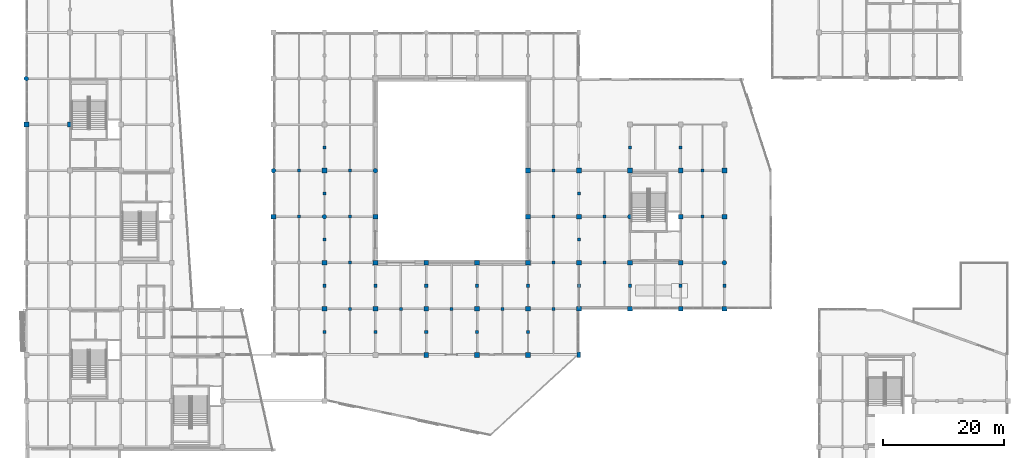
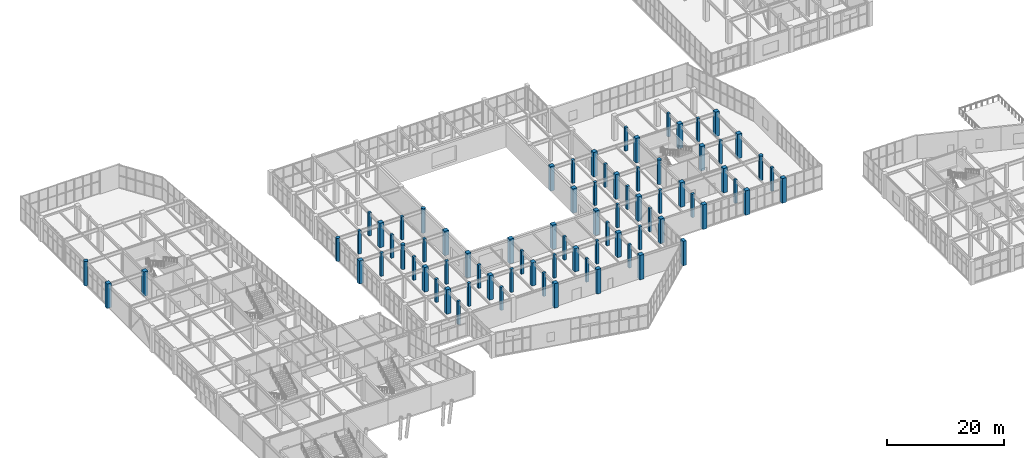
# One storey, part 4 of 128: 79 columns.
"""IFC4 building model written with IfcOpenShell, lengths in metres."""

from ifc_helpers import new_model, si_unit, direction, frame, origin, origin_2d, place, context, subcontext, project, spatial, rectangle, circle, extrude, material, material_profile, profile_set, type_object, element, save


model = new_model("IFC4")

# Units and contexts
model_context = context("Model", 3, precision=1e-05, world=origin(), true_north=direction((0.0, 1.0)))
body_context = subcontext(model_context, "Body", "Model", "MODEL_VIEW")
ifc_project = project(units=[si_unit("LENGTHUNIT", "METRE"), si_unit("AREAUNIT", "SQUARE_METRE"), si_unit("VOLUMEUNIT", "CUBIC_METRE"), si_unit("PLANEANGLEUNIT", "RADIAN"), si_unit("MASSUNIT", "GRAM", prefix="KILO")], contexts=[model_context])

# Site, building, storey
site_placement = place(None, origin())
site = spatial("IfcSite", under=ifc_project, at=site_placement, CompositionType="ELEMENT")
building_placement = place(site_placement, origin())
building = spatial("IfcBuilding", under=site, at=building_placement, Name="Xicomal Pleat Aquarium", CompositionType="ELEMENT")
storey_placement = place(building_placement, frame((0.0, 0.0, 5.39990234375)))
storey = spatial("IfcBuildingStorey", under=building, at=storey_placement, Name="L02", CompositionType="ELEMENT", Elevation=5.39990234375)

# Columns
ifc_material_1 = material(Name="Concrete C35/45", Category="concrete")
ifc_material_profile_1 = material_profile(ifc_material_1, rectangle(XDim=0.5, YDim=0.5, at=origin_2d()), Name="RC 500x500")
ifc_profile_set_1 = profile_set([ifc_material_profile_1], Name="Concrete C35/45")
column_type_1 = type_object("IfcColumnType", Name="COL-RC-500x500", PredefinedType="COLUMN", material=ifc_profile_set_1)
for number, where, z_axis, x_axis, name in (
    (1, (48.0, 53.199951171875, 0.0), (0.0, 0.0, 1.0), (1.0, 0.0, 0.0), "L02 intermediate support column SUB-03"),
    (2, (48.0, 60.800048828125, 0.0), (0.0, 0.0, 1.0), (1.0, 0.0, 0.0), "L02 intermediate support column SUB-04"),
    (3, (56.39990234375, 38.0, 0.0), (0.0, 0.0, 1.0), (1.0, 0.0, 0.0), "L02 intermediate support column SUB-06"),
    (4, (56.39990234375, 45.60009765625, 0.0), (0.0, 0.0, 1.0), (1.0, 0.0, 0.0), "L02 intermediate support column SUB-07"),
    (5, (56.39990234375, 53.199951171875, 0.0), (0.0, 0.0, 1.0), (1.0, 0.0, 0.0), "L02 intermediate support column SUB-08"),
    (6, (56.39990234375, 60.800048828125, 0.0), (0.0, 0.0, 1.0), (1.0, 0.0, 0.0), "L02 intermediate support column SUB-09"),
    (7, (64.800048828125, 38.0, 0.0), (0.0, 0.0, 1.0), (1.0, 0.0, 0.0), "L02 intermediate support column SUB-11"),
    (8, (73.199951171875, 38.0, 0.0), (0.0, 0.0, 1.0), (1.0, 0.0, 0.0), "L02 intermediate support column SUB-12"),
    (9, (81.60009765625, 38.0, 0.0), (0.0, 0.0, 1.0), (1.0, 0.0, 0.0), "L02 intermediate support column SUB-13"),
    (10, (90.0, 38.0, 0.0), (0.0, 0.0, 1.0), (1.0, 0.0, 0.0), "L02 intermediate support column SUB-14"),
    (11, (90.0, 45.60009765625, 0.0), (0.0, 0.0, 1.0), (1.0, 0.0, 0.0), "L02 intermediate support column SUB-15"),
    (12, (90.0, 53.199951171875, 0.0), (0.0, 0.0, 1.0), (1.0, 0.0, 0.0), "L02 intermediate support column SUB-16"),
    (13, (90.0, 60.800048828125, 0.0), (0.0, 0.0, 1.0), (1.0, 0.0, 0.0), "L02 intermediate support column SUB-17"),
):
    element("IfcColumn", number, at=place(storey_placement, frame(where, z_axis=z_axis, x_axis=x_axis)), inside=storey, type_object=column_type_1, Name=name, PredefinedType="COLUMN", context=body_context, shape_type="SweptSolid", body=[
        extrude(rectangle(XDim=0.5, YDim=0.5, at=origin_2d()), origin(), (0.0, 0.0, 1.0), 4.820068359375),
    ])
for number, where, z_axis, x_axis, name in (
    (14, (98.39990234375, 45.60009765625, 0.0), (0.0, 0.0, 1.0), (1.0, 0.0, 0.0), "L02 intermediate support column SUB-20"),
    (15, (98.39990234375, 53.199951171875, 0.0), (0.0, 0.0, 1.0), (1.0, 0.0, 0.0), "L02 intermediate support column SUB-21"),
    (16, (114.60009765625, 53.199951171875, 0.0), (0.0, 0.0, 1.0), (1.0, 0.0, 0.0), "L02 intermediate support column SUB-22"),
    (17, (114.60009765625, 60.800048828125, 0.0), (0.0, 0.0, 1.0), (1.0, 0.0, 0.0), "L02 intermediate support column SUB-23"),
):
    element("IfcColumn", number, at=place(storey_placement, frame(where, z_axis=z_axis, x_axis=x_axis)), inside=storey, type_object=column_type_1, Name=name, PredefinedType="COLUMN", context=body_context, shape_type="SweptSolid", body=[
        extrude(rectangle(XDim=0.5, YDim=0.5, at=origin_2d()), origin(), (0.0, 0.0, 1.0), 4.860107421875),
    ])
for number, where, z_axis, x_axis, name in (
    (18, (52.199951171875, 34.199951171875, 0.0), (0.0, 0.0, 1.0), (1.0, 0.0, 0.0), "L02 intermediate support column SUB-34"),
    (19, (52.199951171875, 41.800048828125, 0.0), (0.0, 0.0, 1.0), (1.0, 0.0, 0.0), "L02 intermediate support column SUB-35"),
    (20, (52.199951171875, 49.39990234375, 0.0), (0.0, 0.0, 1.0), (1.0, 0.0, 0.0), "L02 intermediate support column SUB-36"),
    (21, (52.199951171875, 57.0, 0.0), (0.0, 0.0, 1.0), (1.0, 0.0, 0.0), "L02 intermediate support column SUB-37"),
    (22, (52.199951171875, 64.60009765625, 0.0), (0.0, 0.0, 1.0), (1.0, 0.0, 0.0), "L02 intermediate support column SUB-38"),
    (23, (60.60009765625, 34.199951171875, 0.0), (0.0, 0.0, 1.0), (1.0, 0.0, 0.0), "L02 intermediate support column SUB-41"),
    (24, (60.60009765625, 41.800048828125, 0.0), (0.0, 0.0, 1.0), (1.0, 0.0, 0.0), "L02 intermediate support column SUB-42"),
    (25, (69.0, 34.199951171875, 0.0), (0.0, 0.0, 1.0), (1.0, 0.0, 0.0), "L02 intermediate support column SUB-44"),
    (26, (69.0, 41.800048828125, 0.0), (0.0, 0.0, 1.0), (1.0, 0.0, 0.0), "L02 intermediate support column SUB-45"),
    (27, (77.39990234375, 34.199951171875, 0.0), (0.0, 0.0, 1.0), (1.0, 0.0, 0.0), "L02 intermediate support column SUB-47"),
    (28, (77.39990234375, 41.800048828125, 0.0), (0.0, 0.0, 1.0), (1.0, 0.0, 0.0), "L02 intermediate support column SUB-48"),
    (29, (85.800048828125, 34.199951171875, 0.0), (0.0, 0.0, 1.0), (1.0, 0.0, 0.0), "L02 intermediate support column SUB-50"),
    (30, (85.800048828125, 41.800048828125, 0.0), (0.0, 0.0, 1.0), (1.0, 0.0, 0.0), "L02 intermediate support column SUB-51"),
    (31, (94.199951171875, 41.800048828125, 0.0), (0.0, 0.0, 1.0), (1.0, 0.0, 0.0), "L02 intermediate support column SUB-53"),
    (32, (94.199951171875, 49.39990234375, 0.0), (0.0, 0.0, 1.0), (1.0, 0.0, 0.0), "L02 intermediate support column SUB-54"),
    (33, (94.199951171875, 57.0, 0.0), (0.0, 0.0, 1.0), (1.0, 0.0, 0.0), "L02 intermediate support column SUB-55"),
):
    element("IfcColumn", number, at=place(storey_placement, frame(where, z_axis=z_axis, x_axis=x_axis)), inside=storey, type_object=column_type_1, Name=name, PredefinedType="COLUMN", context=body_context, shape_type="SweptSolid", body=[
        extrude(rectangle(XDim=0.5, YDim=0.5, at=origin_2d()), origin(), (0.0, 0.0, 1.0), 4.820068359375),
    ])
for number, where, z_axis, x_axis, name in (
    (34, (102.60009765625, 41.800048828125, 0.0), (0.0, 0.0, 1.0), (1.0, 0.0, 0.0), "L02 intermediate support column SUB-56"),
    (35, (102.60009765625, 64.60009765625, 0.0), (0.0, 0.0, 1.0), (1.0, 0.0, 0.0), "L02 intermediate support column SUB-57"),
    (36, (111.0, 41.800048828125, 0.0), (0.0, 0.0, 1.0), (1.0, 0.0, 0.0), "L02 intermediate support column SUB-58"),
    (37, (111.0, 64.60009765625, 0.0), (0.0, 0.0, 1.0), (1.0, 0.0, 0.0), "L02 intermediate support column SUB-59"),
    (38, (118.199951171875, 41.800048828125, 0.0), (0.0, 0.0, 1.0), (1.0, 0.0, 0.0), "L02 intermediate support column SUB-60"),
):
    element("IfcColumn", number, at=place(storey_placement, frame(where, z_axis=z_axis, x_axis=x_axis)), inside=storey, type_object=column_type_1, Name=name, PredefinedType="COLUMN", context=body_context, shape_type="SweptSolid", body=[
        extrude(rectangle(XDim=0.5, YDim=0.5, at=origin_2d()), origin(), (0.0, 0.0, 1.0), 4.860107421875),
    ])
ifc_material_2 = material(Name="Concrete C40/50", Category="concrete")
ifc_material_profile_2 = material_profile(ifc_material_2, rectangle(XDim=0.60009765625, YDim=0.89990234375, at=origin_2d()), Name="RC 600x900")
ifc_profile_set_2 = profile_set([ifc_material_profile_2], Name="Concrete C40/50")
column_type_2 = type_object("IfcColumnType", Name="COL-RC-600x900", PredefinedType="COLUMN", material=ifc_profile_set_2)
column_1_placement = place(storey_placement, frame((94.199951171875, 30.39990234375, 0.0), z_axis=(0.0, 0.0, 1.0), x_axis=(1.0, 0.0, 0.0)))
element("IfcColumn", 39, at=column_1_placement, inside=storey, type_object=column_type_2, Name="L02 column 12/E", PredefinedType="COLUMN", context=body_context, shape_type="SweptSolid", body=[
    extrude(rectangle(XDim=0.60009765625, YDim=0.89990234375, at=origin_2d()), origin(), (0.0, 0.0, 1.0), 5.10009765625),
])
ifc_material_3 = material(Name="Concrete C40/50", Category="concrete")
ifc_material_profile_3 = material_profile(ifc_material_3, rectangle(XDim=0.800048828125, YDim=0.800048828125, at=origin_2d()), Name="RC 800x800")
ifc_profile_set_3 = profile_set([ifc_material_profile_3], Name="Concrete C40/50")
column_type_3 = type_object("IfcColumnType", Name="COL-RC-800x800", PredefinedType="COLUMN", material=ifc_profile_set_3)
for number, where, z_axis, x_axis, name in (
    (40, (3.0, 68.39990234375, 0.0), (0.0, 0.0, 1.0), (1.0, 0.0, 0.0), "L02 column 01/K"),
    (41, (10.199951171875, 68.39990234375, 0.0), (0.0, 0.0, 1.0), (1.0, 0.0, 0.0), "L02 column 02/K"),
):
    element("IfcColumn", number, at=place(storey_placement, frame(where, z_axis=z_axis, x_axis=x_axis)), inside=storey, type_object=column_type_3, Name=name, PredefinedType="COLUMN", context=body_context, shape_type="SweptSolid", body=[
        extrude(rectangle(XDim=0.800048828125, YDim=0.800048828125, at=origin_2d()), origin(), (0.0, 0.0, 1.0), 5.10009765625),
    ])
column_2_placement = place(storey_placement, frame((43.800048828125, 53.199951171875, 0.0), z_axis=(0.0, 0.0, 1.0), x_axis=(1.0, 0.0, 0.0)))
element("IfcColumn", 42, at=column_2_placement, inside=storey, type_object=column_type_3, Name="L02 column 06/H", PredefinedType="COLUMN", context=body_context, shape_type="SweptSolid", body=[
    extrude(rectangle(XDim=0.800048828125, YDim=0.800048828125, at=origin_2d()), origin(), (0.0, 0.0, 1.0), 4.820068359375),
])
for number, where, z_axis, x_axis, name in (
    (43, (52.199951171875, 38.0, 0.0), (0.0, 0.0, 1.0), (1.0, 0.0, 0.0), "L02 column 07/F"),
    (44, (52.199951171875, 45.60009765625, 0.0), (0.0, 0.0, 1.0), (1.0, 0.0, 0.0), "L02 column 07/G"),
    (45, (52.199951171875, 60.800048828125, 0.0), (0.0, 0.0, 1.0), (1.0, 0.0, 0.0), "L02 column 07/J"),
    (46, (60.60009765625, 38.0, 0.0), (0.0, 0.0, 1.0), (1.0, 0.0, 0.0), "L02 column 08/F"),
    (47, (60.60009765625, 45.60009765625, 0.0), (0.0, 0.0, 1.0), (1.0, 0.0, 0.0), "L02 column 08/G"),
    (48, (60.60009765625, 53.199951171875, 0.0), (0.0, 0.0, 1.0), (1.0, 0.0, 0.0), "L02 column 08/H"),
    (49, (69.0, 30.39990234375, 0.0), (0.0, 0.0, 1.0), (1.0, 0.0, 0.0), "L02 column 09/E"),
):
    element("IfcColumn", number, at=place(storey_placement, frame(where, z_axis=z_axis, x_axis=x_axis)), inside=storey, type_object=column_type_3, Name=name, PredefinedType="COLUMN", context=body_context, shape_type="SweptSolid", body=[
        extrude(rectangle(XDim=0.800048828125, YDim=0.800048828125, at=origin_2d()), origin(), (0.0, 0.0, 1.0), 5.10009765625),
    ])
column_3_placement = place(storey_placement, frame((69.0, 38.0, 0.0), z_axis=(0.0, 0.0, 1.0), x_axis=(1.0, 0.0, 0.0)))
element("IfcColumn", 50, at=column_3_placement, inside=storey, type_object=column_type_3, Name="L02 column 09/F", PredefinedType="COLUMN", context=body_context, shape_type="SweptSolid", body=[
    extrude(rectangle(XDim=0.800048828125, YDim=0.800048828125, at=origin_2d()), origin(), (0.0, 0.0, 1.0), 4.820068359375),
])
for number, where, z_axis, x_axis, name in (
    (51, (69.0, 45.60009765625, 0.0), (0.0, 0.0, 1.0), (1.0, 0.0, 0.0), "L02 column 09/G"),
    (52, (77.39990234375, 30.39990234375, 0.0), (0.0, 0.0, 1.0), (1.0, 0.0, 0.0), "L02 column 10/E"),
):
    element("IfcColumn", number, at=place(storey_placement, frame(where, z_axis=z_axis, x_axis=x_axis)), inside=storey, type_object=column_type_3, Name=name, PredefinedType="COLUMN", context=body_context, shape_type="SweptSolid", body=[
        extrude(rectangle(XDim=0.800048828125, YDim=0.800048828125, at=origin_2d()), origin(), (0.0, 0.0, 1.0), 5.10009765625),
    ])
column_4_placement = place(storey_placement, frame((77.39990234375, 38.0, 0.0), z_axis=(0.0, 0.0, 1.0), x_axis=(1.0, 0.0, 0.0)))
element("IfcColumn", 53, at=column_4_placement, inside=storey, type_object=column_type_3, Name="L02 column 10/F", PredefinedType="COLUMN", context=body_context, shape_type="SweptSolid", body=[
    extrude(rectangle(XDim=0.800048828125, YDim=0.800048828125, at=origin_2d()), origin(), (0.0, 0.0, 1.0), 4.820068359375),
])
for number, where, z_axis, x_axis, name in (
    (54, (77.39990234375, 45.60009765625, 0.0), (0.0, 0.0, 1.0), (1.0, 0.0, 0.0), "L02 column 10/G"),
    (55, (85.800048828125, 30.39990234375, 0.0), (0.0, 0.0, 1.0), (1.0, 0.0, 0.0), "L02 column 11/E"),
    (56, (85.800048828125, 38.0, 0.0), (0.0, 0.0, 1.0), (1.0, 0.0, 0.0), "L02 column 11/F"),
    (57, (85.800048828125, 45.60009765625, 0.0), (0.0, 0.0, 1.0), (1.0, 0.0, 0.0), "L02 column 11/G"),
    (58, (85.800048828125, 53.199951171875, 0.0), (0.0, 0.0, 1.0), (1.0, 0.0, 0.0), "L02 column 11/H"),
    (59, (85.800048828125, 60.800048828125, 0.0), (0.0, 0.0, 1.0), (1.0, 0.0, 0.0), "L02 column 11/J"),
    (60, (94.199951171875, 38.0, 0.0), (0.0, 0.0, 1.0), (1.0, 0.0, 0.0), "L02 column 12/F"),
    (61, (94.199951171875, 45.60009765625, 0.0), (0.0, 0.0, 1.0), (1.0, 0.0, 0.0), "L02 column 12/G"),
    (62, (94.199951171875, 53.199951171875, 0.0), (0.0, 0.0, 1.0), (1.0, 0.0, 0.0), "L02 column 12/H"),
    (63, (94.199951171875, 60.800048828125, 0.0), (0.0, 0.0, 1.0), (1.0, 0.0, 0.0), "L02 column 12/J"),
    (64, (102.60009765625, 38.0, 0.0), (0.0, 0.0, 1.0), (1.0, 0.0, 0.0), "L02 column 13/F"),
    (65, (102.60009765625, 45.60009765625, 0.0), (0.0, 0.0, 1.0), (1.0, 0.0, 0.0), "L02 column 13/G"),
    (66, (102.60009765625, 60.800048828125, 0.0), (0.0, 0.0, 1.0), (1.0, 0.0, 0.0), "L02 column 13/J"),
    (67, (111.0, 38.0, 0.0), (0.0, 0.0, 1.0), (1.0, 0.0, 0.0), "L02 column 14/F"),
    (68, (111.0, 45.60009765625, 0.0), (0.0, 0.0, 1.0), (1.0, 0.0, 0.0), "L02 column 14/G"),
    (69, (111.0, 53.199951171875, 0.0), (0.0, 0.0, 1.0), (1.0, 0.0, 0.0), "L02 column 14/H"),
    (70, (111.0, 60.800048828125, 0.0), (0.0, 0.0, 1.0), (1.0, 0.0, 0.0), "L02 column 14/J"),
    (71, (118.199951171875, 38.0, 0.0), (0.0, 0.0, 1.0), (1.0, 0.0, 0.0), "L02 column 15/F"),
    (72, (118.199951171875, 53.199951171875, 0.0), (0.0, 0.0, 1.0), (1.0, 0.0, 0.0), "L02 column 15/H"),
    (73, (118.199951171875, 60.800048828125, 0.0), (0.0, 0.0, 1.0), (1.0, 0.0, 0.0), "L02 column 15/J"),
):
    element("IfcColumn", number, at=place(storey_placement, frame(where, z_axis=z_axis, x_axis=x_axis)), inside=storey, type_object=column_type_3, Name=name, PredefinedType="COLUMN", context=body_context, shape_type="SweptSolid", body=[
        extrude(rectangle(XDim=0.800048828125, YDim=0.800048828125, at=origin_2d()), origin(), (0.0, 0.0, 1.0), 5.10009765625),
    ])
ifc_material_4 = material(Name="Concrete C40/50", Category="concrete")
ifc_material_profile_4 = material_profile(ifc_material_4, circle(Radius=0.375, at=origin_2d()), Name="RCC D750")
ifc_profile_set_4 = profile_set([ifc_material_profile_4], Name="Concrete C40/50")
column_type_4 = type_object("IfcColumnType", Name="COL-RCC-D750", PredefinedType="COLUMN", material=ifc_profile_set_4)
column_5_placement = place(storey_placement, frame((3.0, 76.0, 0.0), z_axis=(0.0, 0.0, 1.0), x_axis=(1.0, 0.0, 0.0)))
element("IfcColumn", 74, at=column_5_placement, inside=storey, type_object=column_type_4, Name="L02 column 01/L", PredefinedType="COLUMN", context=body_context, shape_type="SweptSolid", body=[
    extrude(circle(Radius=0.375, at=origin_2d()), origin(), (0.0, 0.0, 1.0), 5.10009765625),
])
column_6_placement = place(storey_placement, frame((43.800048828125, 60.800048828125, 0.0), z_axis=(0.0, 0.0, 1.0), x_axis=(1.0, 0.0, 0.0)))
element("IfcColumn", 75, at=column_6_placement, inside=storey, type_object=column_type_4, Name="L02 column 06/J", PredefinedType="COLUMN", context=body_context, shape_type="SweptSolid", body=[
    extrude(circle(Radius=0.375, at=origin_2d()), origin(), (0.0, 0.0, 1.0), 4.820068359375),
])
for number, where, z_axis, x_axis, name in (
    (76, (52.199951171875, 53.199951171875, 0.0), (0.0, 0.0, 1.0), (1.0, 0.0, 0.0), "L02 column 07/H"),
    (77, (60.60009765625, 60.800048828125, 0.0), (0.0, 0.0, 1.0), (1.0, 0.0, 0.0), "L02 column 08/J"),
    (78, (102.60009765625, 53.199951171875, 0.0), (0.0, 0.0, 1.0), (1.0, 0.0, 0.0), "L02 column 13/H"),
    (79, (118.199951171875, 45.60009765625, 0.0), (0.0, 0.0, 1.0), (1.0, 0.0, 0.0), "L02 column 15/G"),
):
    element("IfcColumn", number, at=place(storey_placement, frame(where, z_axis=z_axis, x_axis=x_axis)), inside=storey, type_object=column_type_4, Name=name, PredefinedType="COLUMN", context=body_context, shape_type="SweptSolid", body=[
        extrude(circle(Radius=0.375, at=origin_2d()), origin(), (0.0, 0.0, 1.0), 5.10009765625),
    ])

save(model, "model.ifc")
